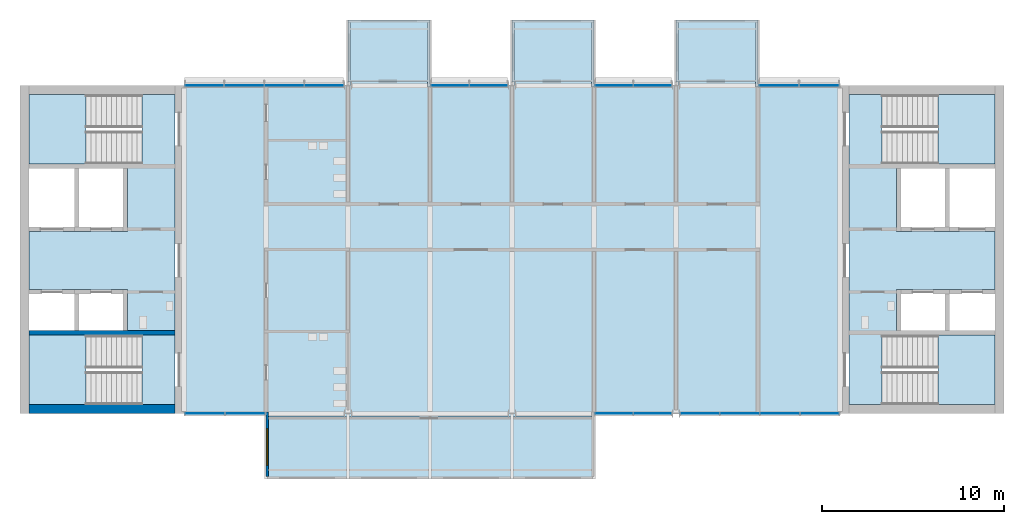
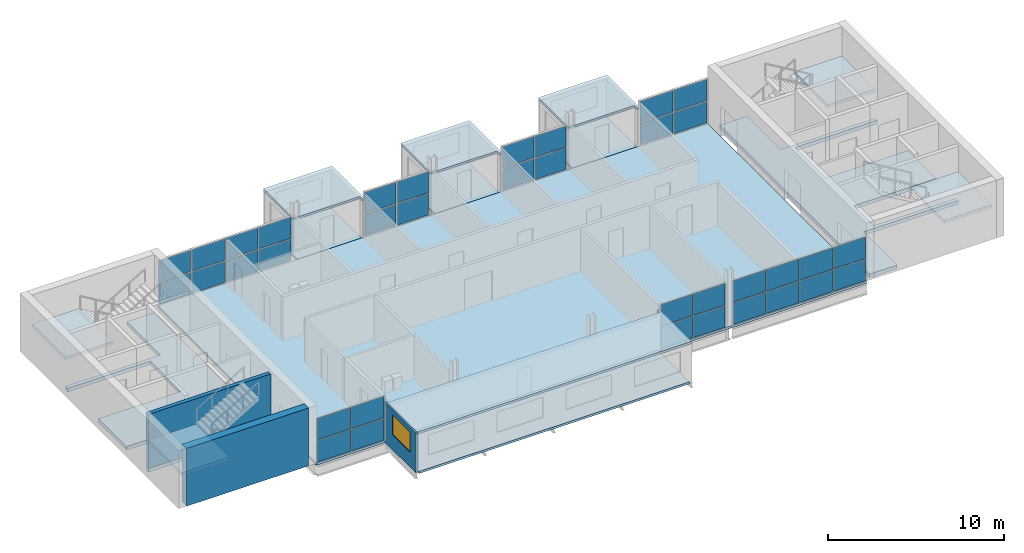
# One storey, part 4 of 11: 36 plates, 15 slabs, 3 walls, 1 window, 1 opening, 11 elements without a shape of their own.
"""IFC4 building model written with IfcOpenShell, lengths in metres."""

from ifc_helpers import new_model, si_unit, direction, frame, frame_2d, origin, origin_2d, place, context, subcontext, project, spatial, polyline, rectangle, outline, extrude, material, layer, layer_set, type_object, element, fill, aggregate, save


model = new_model("IFC4")

# Units and contexts
model_context = context("Model", 3, precision=1e-05, world=origin(), true_north=direction((0.0, 1.0)))
body_context = subcontext(model_context, "Body", "Model", "MODEL_VIEW")
ifc_project = project(units=[si_unit("LENGTHUNIT", "METRE"), si_unit("AREAUNIT", "SQUARE_METRE"), si_unit("VOLUMEUNIT", "CUBIC_METRE"), si_unit("PLANEANGLEUNIT", "RADIAN"), si_unit("MASSUNIT", "GRAM", prefix="KILO")], contexts=[model_context])

# Site, building, storey
site_placement = place(None, origin())
site = spatial("IfcSite", under=ifc_project, at=site_placement, CompositionType="ELEMENT")
building_placement = place(site_placement, origin())
building = spatial("IfcBuilding", under=site, at=building_placement, Name="Corbel Yard City Hall", CompositionType="ELEMENT")
storey_placement = place(building_placement, frame((0.0, 0.0, 35.199951171875)))
storey = spatial("IfcBuildingStorey", under=building, at=storey_placement, Name="L08", CompositionType="ELEMENT", Elevation=35.199951171875)

# Slabs
ifc_material_1 = material(Name="Concrete N40 (40 MPa)", Category="concrete")
ifc_layer_1 = layer(ifc_material_1, 0.25)
ifc_layer_set_1 = layer_set([ifc_layer_1], Name="Concrete N40 (40 MPa)")
slab_type_1 = type_object("IfcSlabType", Name="CF1", PredefinedType="FLOOR", material=ifc_layer_set_1)
slab_1_placement = place(storey_placement, frame((0.0, 0.0, -0.25)))
element("IfcSlab", 1, at=slab_1_placement, inside=storey, type_object=slab_type_1, Name="Core floor slab", PredefinedType="FLOOR", context=body_context, shape_type="SweptSolid", body=[
    extrude(outline(polyline([(8.5, 116.5), (6.698974609375, 116.5), (6.698974609375, 112.699951171875), (0.5, 112.699951171875), (0.5, 112.449951171875), (5.89990234375, 112.449951171875), (5.89990234375, 109.0), (0.5, 109.0), (0.5, 105.800048828125), (5.89990234375, 105.800048828125), (5.89990234375, 103.550048828125), (0.5, 103.550048828125), (0.5, 103.300048828125), (6.698974609375, 103.300048828125), (6.698974609375, 99.5), (8.5, 99.5), (8.5, 116.5)])), origin(), (0.0, 0.0, 1.0), 0.25),
])
slab_2_placement = place(storey_placement, frame((0.0, 0.0, -0.25)))
element("IfcSlab", 2, at=slab_2_placement, inside=storey, type_object=slab_type_1, Name="Core floor slab", PredefinedType="FLOOR", context=body_context, shape_type="SweptSolid", body=[
    extrude(outline(polyline([(53.5, 103.300048828125), (53.5, 103.550048828125), (48.10009765625, 103.550048828125), (48.10009765625, 105.800048828125), (53.5, 105.800048828125), (53.5, 109.0), (48.10009765625, 109.0), (48.10009765625, 112.449951171875), (53.5, 112.449951171875), (53.5, 112.699951171875), (47.301025390625, 112.699951171875), (47.301025390625, 116.5), (45.5, 116.5), (45.5, 99.5), (47.301025390625, 99.5), (47.301025390625, 103.300048828125), (53.5, 103.300048828125)])), origin(), (0.0, 0.0, 1.0), 0.25),
])
ifc_layer_2 = layer(ifc_material_1, 0.14990234375)
ifc_layer_set_2 = layer_set([ifc_layer_2], Name="Concrete N40 (40 MPa)")
slab_type_2 = type_object("IfcSlabType", Name="Floor slab 150", PredefinedType="FLOOR", material=ifc_layer_set_2)
slab_3_placement = place(storey_placement, frame((0.0, 0.0, -0.14990234375)))
element("IfcSlab", 3, at=slab_3_placement, inside=storey, type_object=slab_type_2, Name="Tower floor slab L08", PredefinedType="FLOOR", context=body_context, shape_type="SweptSolid", body=[
    extrude(outline(polyline([(45.0, 99.0), (45.0, 117.0), (9.0, 117.0), (9.0, 99.0), (45.0, 99.0)])), origin(), (0.0, 0.0, 1.0), 0.14990234375),
])

# Stair, slab
stair_type = type_object("IfcStairType", Name="ST4", PredefinedType="HALF_TURN_STAIR", material=ifc_material_1)
stair_1_placement = place(storey_placement, origin())
stair_1 = element("IfcStair", 4, at=stair_1_placement, inside=storey, type_object=stair_type, Name="Exit stair ST-W1 L08", PredefinedType="HALF_TURN_STAIR")
ifc_layer_3 = layer(ifc_material_1, 0.199951171875)
ifc_layer_set_3 = layer_set([ifc_layer_3], Name="Concrete N40 (40 MPa)")
slab_type_3 = type_object("IfcSlabType", Name="LN1", PredefinedType="LANDING", material=ifc_layer_set_3)
slab_4_placement = place(storey_placement, frame((0.0, 0.0, 1.800048828125)))
slab_4 = element("IfcSlab", 5, at=slab_4_placement, type_object=slab_type_3, Name="ST-W1 landing 1", PredefinedType="LANDING", context=body_context, shape_type="SweptSolid", body=[
    extrude(outline(polyline([(0.5, 99.5), (3.6201171875, 99.5), (3.6201171875, 103.300048828125), (0.5, 103.300048828125), (0.5, 99.5)])), origin(), (0.0, 0.0, 1.0), 0.199951171875),
])
aggregate(stair_1, [slab_4])

stair_2_placement = place(storey_placement, origin())
stair_2 = element("IfcStair", 6, at=stair_2_placement, inside=storey, type_object=stair_type, Name="Exit stair ST-W2 L08", PredefinedType="HALF_TURN_STAIR")
slab_5_placement = place(storey_placement, frame((0.0, 0.0, 1.800048828125)))
slab_5 = element("IfcSlab", 7, at=slab_5_placement, type_object=slab_type_3, Name="ST-W2 landing 1", PredefinedType="LANDING", context=body_context, shape_type="SweptSolid", body=[
    extrude(outline(polyline([(0.5, 112.699951171875), (3.6201171875, 112.699951171875), (3.6201171875, 116.5), (0.5, 116.5), (0.5, 112.699951171875)])), origin(), (0.0, 0.0, 1.0), 0.199951171875),
])
aggregate(stair_2, [slab_5])

stair_3_placement = place(storey_placement, origin())
stair_3 = element("IfcStair", 8, at=stair_3_placement, inside=storey, type_object=stair_type, Name="Exit stair ST-E1 L08", PredefinedType="HALF_TURN_STAIR")
slab_6_placement = place(storey_placement, frame((0.0, 0.0, 1.800048828125)))
slab_6 = element("IfcSlab", 9, at=slab_6_placement, type_object=slab_type_3, Name="ST-E1 landing 1", PredefinedType="LANDING", context=body_context, shape_type="SweptSolid", body=[
    extrude(outline(polyline([(50.3798828125, 99.5), (53.5, 99.5), (53.5, 103.300048828125), (50.3798828125, 103.300048828125), (50.3798828125, 99.5)])), origin(), (0.0, 0.0, 1.0), 0.199951171875),
])
aggregate(stair_3, [slab_6])

stair_4_placement = place(storey_placement, origin())
stair_4 = element("IfcStair", 10, at=stair_4_placement, inside=storey, type_object=stair_type, Name="Exit stair ST-E2 L08", PredefinedType="HALF_TURN_STAIR")
slab_7_placement = place(storey_placement, frame((0.0, 0.0, 1.800048828125)))
slab_7 = element("IfcSlab", 11, at=slab_7_placement, type_object=slab_type_3, Name="ST-E2 landing 1", PredefinedType="LANDING", context=body_context, shape_type="SweptSolid", body=[
    extrude(outline(polyline([(50.3798828125, 112.699951171875), (53.5, 112.699951171875), (53.5, 116.5), (50.3798828125, 116.5), (50.3798828125, 112.699951171875)])), origin(), (0.0, 0.0, 1.0), 0.199951171875),
])
aggregate(stair_4, [slab_7])

# Slabs
ifc_material_2 = material(Name="Concrete N32 (32 MPa)", Category="concrete")
ifc_layer_4 = layer(ifc_material_2, 0.14990234375)
ifc_layer_set_4 = layer_set([ifc_layer_4], Name="Concrete N32 (32 MPa)")
slab_type_4 = type_object("IfcSlabType", Name="PF1", PredefinedType="FLOOR", material=ifc_layer_set_4)
slab_8_placement = place(storey_placement, frame((0.0, 0.0, -0.14990234375)))
element("IfcSlab", 12, at=slab_8_placement, inside=storey, type_object=slab_type_4, Name="Pod floor slab L08", PredefinedType="FLOOR", context=body_context, shape_type="SweptSolid", body=[
    extrude(outline(polyline([(13.64990234375, 95.39990234375), (31.35009765625, 95.39990234375), (31.35009765625, 99.0), (13.64990234375, 99.0), (13.64990234375, 95.39990234375)])), origin(), (0.0, 0.0, 1.0), 0.14990234375),
])
slab_9_placement = place(storey_placement, frame((0.0, 0.0, -0.14990234375)))
element("IfcSlab", 13, at=slab_9_placement, inside=storey, type_object=slab_type_4, Name="Pod floor slab L08", PredefinedType="FLOOR", context=body_context, shape_type="SweptSolid", body=[
    extrude(outline(polyline([(18.14990234375, 117.0), (22.35009765625, 117.0), (22.35009765625, 120.60009765625), (18.14990234375, 120.60009765625), (18.14990234375, 117.0)])), origin(), (0.0, 0.0, 1.0), 0.14990234375),
])
slab_10_placement = place(storey_placement, frame((0.0, 0.0, -0.14990234375)))
element("IfcSlab", 14, at=slab_10_placement, inside=storey, type_object=slab_type_4, Name="Pod floor slab L08", PredefinedType="FLOOR", context=body_context, shape_type="SweptSolid", body=[
    extrude(outline(polyline([(27.14990234375, 117.0), (31.35009765625, 117.0), (31.35009765625, 120.60009765625), (27.14990234375, 120.60009765625), (27.14990234375, 117.0)])), origin(), (0.0, 0.0, 1.0), 0.14990234375),
])
slab_11_placement = place(storey_placement, frame((0.0, 0.0, -0.14990234375)))
element("IfcSlab", 15, at=slab_11_placement, inside=storey, type_object=slab_type_4, Name="Pod floor slab L08", PredefinedType="FLOOR", context=body_context, shape_type="SweptSolid", body=[
    extrude(outline(polyline([(36.14990234375, 117.0), (40.35009765625, 117.0), (40.35009765625, 120.60009765625), (36.14990234375, 120.60009765625), (36.14990234375, 117.0)])), origin(), (0.0, 0.0, 1.0), 0.14990234375),
])
ifc_layer_5 = layer(ifc_material_2, 0.14990234375)
ifc_layer_set_5 = layer_set([ifc_layer_5], Name="Concrete N32 (32 MPa)")
slab_type_5 = type_object("IfcSlabType", Name="PH1", PredefinedType="ROOF", material=ifc_layer_set_5)
slab_12_placement = place(storey_placement, frame((0.0, 0.0, 2.60009765625)))
element("IfcSlab", 16, at=slab_12_placement, inside=storey, type_object=slab_type_5, Name="Pod roof slab L08", PredefinedType="ROOF", context=body_context, shape_type="SweptSolid", body=[
    extrude(outline(polyline([(13.5, 95.39990234375), (31.5, 95.39990234375), (31.5, 99.074951171875), (31.35009765625, 99.074951171875), (31.35009765625, 98.800048828125), (13.64990234375, 98.800048828125), (13.64990234375, 99.074951171875), (13.5, 99.074951171875), (13.5, 95.39990234375)])), origin(), (0.0, 0.0, 1.0), 0.14990234375),
])
slab_13_placement = place(storey_placement, frame((0.0, 0.0, 2.60009765625)))
element("IfcSlab", 17, at=slab_13_placement, inside=storey, type_object=slab_type_5, Name="Pod roof slab L08", PredefinedType="ROOF", context=body_context, shape_type="SweptSolid", body=[
    extrude(outline(polyline([(18.0, 120.60009765625), (18.0, 117.199951171875), (22.35009765625, 117.199951171875), (22.35009765625, 116.909912109375), (22.5, 116.909912109375), (22.5, 120.60009765625), (18.0, 120.60009765625)])), origin(), (0.0, 0.0, 1.0), 0.14990234375),
])
slab_14_placement = place(storey_placement, frame((0.0, 0.0, 2.60009765625)))
element("IfcSlab", 18, at=slab_14_placement, inside=storey, type_object=slab_type_5, Name="Pod roof slab L08", PredefinedType="ROOF", context=body_context, shape_type="SweptSolid", body=[
    extrude(outline(polyline([(27.0, 120.60009765625), (27.0, 117.199951171875), (31.35009765625, 117.199951171875), (31.35009765625, 116.909912109375), (31.5, 116.909912109375), (31.5, 120.60009765625), (27.0, 120.60009765625)])), origin(), (0.0, 0.0, 1.0), 0.14990234375),
])
slab_15_placement = place(storey_placement, frame((0.0, 0.0, 2.60009765625)))
element("IfcSlab", 19, at=slab_15_placement, inside=storey, type_object=slab_type_5, Name="Pod roof slab L08", PredefinedType="ROOF", context=body_context, shape_type="SweptSolid", body=[
    extrude(outline(polyline([(36.0, 120.60009765625), (36.0, 117.199951171875), (40.35009765625, 117.199951171875), (40.35009765625, 116.909912109375), (40.5, 116.909912109375), (40.5, 120.60009765625), (36.0, 120.60009765625)])), origin(), (0.0, 0.0, 1.0), 0.14990234375),
])

# Curtain wall, plates
ifc_material_3 = material(Name="Aluminium extrusion", Category="aluminium")
ifc_layer_6 = layer(ifc_material_3, 0.14990234375)
ifc_layer_set_6 = layer_set([ifc_layer_6], Name="Aluminium extrusion")
curtain_wall_type_1 = type_object("IfcCurtainWallType", Name="CW2", PredefinedType="USERDEFINED", material=ifc_layer_set_6)
curtain_wall_1_placement = place(storey_placement, origin())
curtain_wall_1 = element("IfcCurtainWall", 20, at=curtain_wall_1_placement, inside=storey, type_object=curtain_wall_type_1, Name="Curtain wall CW2 L08", ObjectType="CURTAIN WALL", PredefinedType="USERDEFINED")
ifc_material_4 = material(Name="Double glazed low-e glass unit", Category="glass")
ifc_layer_7 = layer(ifc_material_4, 0.028076171875)
ifc_layer_set_7 = layer_set([ifc_layer_7], Name="Double glazed low-e glass unit")
plate_type_1 = type_object("IfcPlateType", Name="PN2", PredefinedType="CURTAIN_PANEL", material=ifc_layer_set_7)
plate_1_placement = place(storey_placement, frame((10.141357421875, 99.0, 0.06494140625), z_axis=(0.0, 0.0, 1.0), x_axis=(1.0, 0.0, 0.0)))
plate_1 = element("IfcPlate", 21, at=plate_1_placement, type_object=plate_type_1, Name="CW2 panel 1.1", PredefinedType="CURTAIN_PANEL", context=body_context, shape_type="SweptSolid", body=[
    extrude(rectangle(XDim=2.152587890625, YDim=0.028076171875, at=origin_2d()), origin(), (0.0, 0.0, 1.0), 1.4775390625),
])
plate_2_placement = place(storey_placement, frame((10.141357421875, 99.0, 1.607421875), z_axis=(0.0, 0.0, 1.0), x_axis=(1.0, 0.0, 0.0)))
plate_2 = element("IfcPlate", 22, at=plate_2_placement, type_object=plate_type_1, Name="CW2 panel 1.2", PredefinedType="CURTAIN_PANEL", context=body_context, shape_type="SweptSolid", body=[
    extrude(rectangle(XDim=2.152587890625, YDim=0.028076171875, at=origin_2d()), origin(), (0.0, 0.0, 1.0), 1.4775390625),
])
plate_3_placement = place(storey_placement, frame((12.358642578125, 99.0, 0.06494140625), z_axis=(0.0, 0.0, 1.0), x_axis=(1.0, 0.0, 0.0)))
plate_3 = element("IfcPlate", 23, at=plate_3_placement, type_object=plate_type_1, Name="CW2 panel 2.1", PredefinedType="CURTAIN_PANEL", context=body_context, shape_type="SweptSolid", body=[
    extrude(rectangle(XDim=2.152587890625, YDim=0.028076171875, at=origin_2d()), origin(), (0.0, 0.0, 1.0), 1.4775390625),
])
plate_4_placement = place(storey_placement, frame((12.358642578125, 99.0, 1.607421875), z_axis=(0.0, 0.0, 1.0), x_axis=(1.0, 0.0, 0.0)))
plate_4 = element("IfcPlate", 24, at=plate_4_placement, type_object=plate_type_1, Name="CW2 panel 2.2", PredefinedType="CURTAIN_PANEL", context=body_context, shape_type="SweptSolid", body=[
    extrude(rectangle(XDim=2.152587890625, YDim=0.028076171875, at=origin_2d()), origin(), (0.0, 0.0, 1.0), 1.4775390625),
])
aggregate(curtain_wall_1, [plate_1, plate_2, plate_3, plate_4])

curtain_wall_2_placement = place(storey_placement, origin())
curtain_wall_2 = element("IfcCurtainWall", 25, at=curtain_wall_2_placement, inside=storey, type_object=curtain_wall_type_1, Name="Curtain wall CW2 L08", ObjectType="CURTAIN WALL", PredefinedType="USERDEFINED")
plate_5_placement = place(storey_placement, frame((32.589599609375, 99.0, 0.06494140625), z_axis=(0.0, 0.0, 1.0), x_axis=(1.0, 0.0, 0.0)))
plate_5 = element("IfcPlate", 26, at=plate_5_placement, type_object=plate_type_1, Name="CW2 panel 1.1", PredefinedType="CURTAIN_PANEL", context=body_context, shape_type="SweptSolid", body=[
    extrude(rectangle(XDim=2.049072265625, YDim=0.028076171875, at=origin_2d()), origin(), (0.0, 0.0, 1.0), 1.4775390625),
])
plate_6_placement = place(storey_placement, frame((32.589599609375, 99.0, 1.607421875), z_axis=(0.0, 0.0, 1.0), x_axis=(1.0, 0.0, 0.0)))
plate_6 = element("IfcPlate", 27, at=plate_6_placement, type_object=plate_type_1, Name="CW2 panel 1.2", PredefinedType="CURTAIN_PANEL", context=body_context, shape_type="SweptSolid", body=[
    extrude(rectangle(XDim=2.049072265625, YDim=0.028076171875, at=origin_2d()), origin(), (0.0, 0.0, 1.0), 1.4775390625),
])
plate_7_placement = place(storey_placement, frame((34.70361328125, 99.0, 0.06494140625), z_axis=(0.0, 0.0, 1.0), x_axis=(1.0, 0.0, 0.0)))
plate_7 = element("IfcPlate", 28, at=plate_7_placement, type_object=plate_type_1, Name="CW2 panel 2.1", PredefinedType="CURTAIN_PANEL", context=body_context, shape_type="SweptSolid", body=[
    extrude(rectangle(XDim=2.049072265625, YDim=0.028076171875, at=origin_2d()), origin(), (0.0, 0.0, 1.0), 1.4775390625),
])
plate_8_placement = place(storey_placement, frame((34.70361328125, 99.0, 1.607421875), z_axis=(0.0, 0.0, 1.0), x_axis=(1.0, 0.0, 0.0)))
plate_8 = element("IfcPlate", 29, at=plate_8_placement, type_object=plate_type_1, Name="CW2 panel 2.2", PredefinedType="CURTAIN_PANEL", context=body_context, shape_type="SweptSolid", body=[
    extrude(rectangle(XDim=2.049072265625, YDim=0.028076171875, at=origin_2d()), origin(), (0.0, 0.0, 1.0), 1.4775390625),
])
aggregate(curtain_wall_2, [plate_5, plate_6, plate_7, plate_8])

curtain_wall_3_placement = place(storey_placement, origin())
curtain_wall_3 = element("IfcCurtainWall", 30, at=curtain_wall_3_placement, inside=storey, type_object=curtain_wall_type_1, Name="Curtain wall CW2 L08", ObjectType="CURTAIN WALL", PredefinedType="USERDEFINED")
plate_9_placement = place(storey_placement, frame((37.322265625, 99.0, 0.06494140625), z_axis=(0.0, 0.0, 1.0), x_axis=(1.0, 0.0, 0.0)))
plate_9 = element("IfcPlate", 31, at=plate_9_placement, type_object=plate_type_1, Name="CW2 panel 1.1", PredefinedType="CURTAIN_PANEL", context=body_context, shape_type="SweptSolid", body=[
    extrude(rectangle(XDim=2.100830078125, YDim=0.028076171875, at=origin_2d()), origin(), (0.0, 0.0, 1.0), 1.4775390625),
])
plate_10_placement = place(storey_placement, frame((37.322265625, 99.0, 1.607421875), z_axis=(0.0, 0.0, 1.0), x_axis=(1.0, 0.0, 0.0)))
plate_10 = element("IfcPlate", 32, at=plate_10_placement, type_object=plate_type_1, Name="CW2 panel 1.2", PredefinedType="CURTAIN_PANEL", context=body_context, shape_type="SweptSolid", body=[
    extrude(rectangle(XDim=2.100830078125, YDim=0.028076171875, at=origin_2d()), origin(), (0.0, 0.0, 1.0), 1.4775390625),
])
plate_11_placement = place(storey_placement, frame((39.50439453125, 99.0, 0.06494140625), z_axis=(0.0, 0.0, 1.0), x_axis=(1.0, 0.0, 0.0)))
plate_11 = element("IfcPlate", 33, at=plate_11_placement, type_object=plate_type_1, Name="CW2 panel 2.1", PredefinedType="CURTAIN_PANEL", context=body_context, shape_type="SweptSolid", body=[
    extrude(rectangle(XDim=2.13330078125, YDim=0.028076171875, at=origin_2d()), origin(), (0.0, 0.0, 1.0), 1.4775390625),
])
plate_12_placement = place(storey_placement, frame((39.50439453125, 99.0, 1.607421875), z_axis=(0.0, 0.0, 1.0), x_axis=(1.0, 0.0, 0.0)))
plate_12 = element("IfcPlate", 34, at=plate_12_placement, type_object=plate_type_1, Name="CW2 panel 2.2", PredefinedType="CURTAIN_PANEL", context=body_context, shape_type="SweptSolid", body=[
    extrude(rectangle(XDim=2.13330078125, YDim=0.028076171875, at=origin_2d()), origin(), (0.0, 0.0, 1.0), 1.4775390625),
])
plate_13_placement = place(storey_placement, frame((41.70263671875, 99.0, 0.06494140625), z_axis=(0.0, 0.0, 1.0), x_axis=(1.0, 0.0, 0.0)))
plate_13 = element("IfcPlate", 35, at=plate_13_placement, type_object=plate_type_1, Name="CW2 panel 3.1", PredefinedType="CURTAIN_PANEL", context=body_context, shape_type="SweptSolid", body=[
    extrude(rectangle(XDim=2.13330078125, YDim=0.028076171875, at=origin_2d()), origin(), (0.0, 0.0, 1.0), 1.4775390625),
])
plate_14_placement = place(storey_placement, frame((41.70263671875, 99.0, 1.607421875), z_axis=(0.0, 0.0, 1.0), x_axis=(1.0, 0.0, 0.0)))
plate_14 = element("IfcPlate", 36, at=plate_14_placement, type_object=plate_type_1, Name="CW2 panel 3.2", PredefinedType="CURTAIN_PANEL", context=body_context, shape_type="SweptSolid", body=[
    extrude(rectangle(XDim=2.13330078125, YDim=0.028076171875, at=origin_2d()), origin(), (0.0, 0.0, 1.0), 1.4775390625),
])
plate_15_placement = place(storey_placement, frame((43.884521484375, 99.0, 0.06494140625), z_axis=(0.0, 0.0, 1.0), x_axis=(1.0, 0.0, 0.0)))
plate_15 = element("IfcPlate", 37, at=plate_15_placement, type_object=plate_type_1, Name="CW2 panel 4.1", PredefinedType="CURTAIN_PANEL", context=body_context, shape_type="SweptSolid", body=[
    extrude(rectangle(XDim=2.100830078125, YDim=0.028076171875, at=origin_2d()), origin(), (0.0, 0.0, 1.0), 1.4775390625),
])
plate_16_placement = place(storey_placement, frame((43.884521484375, 99.0, 1.607421875), z_axis=(0.0, 0.0, 1.0), x_axis=(1.0, 0.0, 0.0)))
plate_16 = element("IfcPlate", 38, at=plate_16_placement, type_object=plate_type_1, Name="CW2 panel 4.2", PredefinedType="CURTAIN_PANEL", context=body_context, shape_type="SweptSolid", body=[
    extrude(rectangle(XDim=2.100830078125, YDim=0.028076171875, at=origin_2d()), origin(), (0.0, 0.0, 1.0), 1.4775390625),
])
aggregate(curtain_wall_3, [plate_9, plate_10, plate_11, plate_12, plate_13, plate_14, plate_15, plate_16])

ifc_layer_8 = layer(ifc_material_3, 0.179931640625)
ifc_layer_set_8 = layer_set([ifc_layer_8], Name="Aluminium extrusion")
curtain_wall_type_2 = type_object("IfcCurtainWallType", Name="CW6", PredefinedType="USERDEFINED", material=ifc_layer_set_8)
curtain_wall_4_placement = place(storey_placement, origin())
curtain_wall_4 = element("IfcCurtainWall", 39, at=curtain_wall_4_placement, inside=storey, type_object=curtain_wall_type_2, Name="Curtain wall CW6 L08", ObjectType="CURTAIN WALL", PredefinedType="USERDEFINED")
ifc_material_5 = material(Name="Double glazed low-e glass unit, ceramic fritted", Category="glass")
ifc_layer_9 = layer(ifc_material_5, 0.02392578125)
ifc_layer_set_9 = layer_set([ifc_layer_9], Name="Double glazed low-e glass unit, ceramic fritted")
plate_type_2 = type_object("IfcPlateType", Name="PN7", PredefinedType="CURTAIN_PANEL", material=ifc_layer_set_9)
plate_17_placement = place(storey_placement, frame((10.115478515625, 117.0, 0.06494140625), z_axis=(0.0, 0.0, 1.0), x_axis=(1.0, 0.0, 0.0)))
plate_17 = element("IfcPlate", 40, at=plate_17_placement, type_object=plate_type_2, Name="CW6 panel 1.1", PredefinedType="CURTAIN_PANEL", context=body_context, shape_type="SweptSolid", body=[
    extrude(rectangle(XDim=2.100830078125, YDim=0.02392578125, at=origin_2d()), origin(), (0.0, 0.0, 1.0), 1.4775390625),
])
plate_18_placement = place(storey_placement, frame((10.115478515625, 117.0, 1.607421875), z_axis=(0.0, 0.0, 1.0), x_axis=(1.0, 0.0, 0.0)))
plate_18 = element("IfcPlate", 41, at=plate_18_placement, type_object=plate_type_2, Name="CW6 panel 1.2", PredefinedType="CURTAIN_PANEL", context=body_context, shape_type="SweptSolid", body=[
    extrude(rectangle(XDim=2.100830078125, YDim=0.02392578125, at=origin_2d()), origin(), (0.0, 0.0, 1.0), 1.4775390625),
])
plate_19_placement = place(storey_placement, frame((12.29736328125, 117.0, 0.06494140625), z_axis=(0.0, 0.0, 1.0), x_axis=(1.0, 0.0, 0.0)))
plate_19 = element("IfcPlate", 42, at=plate_19_placement, type_object=plate_type_2, Name="CW6 panel 2.1", PredefinedType="CURTAIN_PANEL", context=body_context, shape_type="SweptSolid", body=[
    extrude(rectangle(XDim=2.13330078125, YDim=0.02392578125, at=origin_2d()), origin(), (0.0, 0.0, 1.0), 1.4775390625),
])
plate_20_placement = place(storey_placement, frame((12.29736328125, 117.0, 1.607421875), z_axis=(0.0, 0.0, 1.0), x_axis=(1.0, 0.0, 0.0)))
plate_20 = element("IfcPlate", 43, at=plate_20_placement, type_object=plate_type_2, Name="CW6 panel 2.2", PredefinedType="CURTAIN_PANEL", context=body_context, shape_type="SweptSolid", body=[
    extrude(rectangle(XDim=2.13330078125, YDim=0.02392578125, at=origin_2d()), origin(), (0.0, 0.0, 1.0), 1.4775390625),
])
plate_21_placement = place(storey_placement, frame((14.49560546875, 117.0, 0.06494140625), z_axis=(0.0, 0.0, 1.0), x_axis=(1.0, 0.0, 0.0)))
plate_21 = element("IfcPlate", 44, at=plate_21_placement, type_object=plate_type_2, Name="CW6 panel 3.1", PredefinedType="CURTAIN_PANEL", context=body_context, shape_type="SweptSolid", body=[
    extrude(rectangle(XDim=2.13330078125, YDim=0.02392578125, at=origin_2d()), origin(), (0.0, 0.0, 1.0), 1.4775390625),
])
plate_22_placement = place(storey_placement, frame((14.49560546875, 117.0, 1.607421875), z_axis=(0.0, 0.0, 1.0), x_axis=(1.0, 0.0, 0.0)))
plate_22 = element("IfcPlate", 45, at=plate_22_placement, type_object=plate_type_2, Name="CW6 panel 3.2", PredefinedType="CURTAIN_PANEL", context=body_context, shape_type="SweptSolid", body=[
    extrude(rectangle(XDim=2.13330078125, YDim=0.02392578125, at=origin_2d()), origin(), (0.0, 0.0, 1.0), 1.4775390625),
])
plate_23_placement = place(storey_placement, frame((16.677734375, 117.0, 0.06494140625), z_axis=(0.0, 0.0, 1.0), x_axis=(1.0, 0.0, 0.0)))
plate_23 = element("IfcPlate", 46, at=plate_23_placement, type_object=plate_type_2, Name="CW6 panel 4.1", PredefinedType="CURTAIN_PANEL", context=body_context, shape_type="SweptSolid", body=[
    extrude(rectangle(XDim=2.100830078125, YDim=0.02392578125, at=origin_2d()), origin(), (0.0, 0.0, 1.0), 1.4775390625),
])
plate_24_placement = place(storey_placement, frame((16.677734375, 117.0, 1.607421875), z_axis=(0.0, 0.0, 1.0), x_axis=(1.0, 0.0, 0.0)))
plate_24 = element("IfcPlate", 47, at=plate_24_placement, type_object=plate_type_2, Name="CW6 panel 4.2", PredefinedType="CURTAIN_PANEL", context=body_context, shape_type="SweptSolid", body=[
    extrude(rectangle(XDim=2.100830078125, YDim=0.02392578125, at=origin_2d()), origin(), (0.0, 0.0, 1.0), 1.4775390625),
])
aggregate(curtain_wall_4, [plate_17, plate_18, plate_19, plate_20, plate_21, plate_22, plate_23, plate_24])

curtain_wall_5_placement = place(storey_placement, origin())
curtain_wall_5 = element("IfcCurtainWall", 48, at=curtain_wall_5_placement, inside=storey, type_object=curtain_wall_type_2, Name="Curtain wall CW6 L08", ObjectType="CURTAIN WALL", PredefinedType="USERDEFINED")
plate_25_placement = place(storey_placement, frame((23.589599609375, 117.0, 0.06494140625), z_axis=(0.0, 0.0, 1.0), x_axis=(1.0, 0.0, 0.0)))
plate_25 = element("IfcPlate", 49, at=plate_25_placement, type_object=plate_type_2, Name="CW6 panel 1.1", PredefinedType="CURTAIN_PANEL", context=body_context, shape_type="SweptSolid", body=[
    extrude(rectangle(XDim=2.049072265625, YDim=0.02392578125, at=origin_2d()), origin(), (0.0, 0.0, 1.0), 1.4775390625),
])
plate_26_placement = place(storey_placement, frame((23.589599609375, 117.0, 1.607421875), z_axis=(0.0, 0.0, 1.0), x_axis=(1.0, 0.0, 0.0)))
plate_26 = element("IfcPlate", 50, at=plate_26_placement, type_object=plate_type_2, Name="CW6 panel 1.2", PredefinedType="CURTAIN_PANEL", context=body_context, shape_type="SweptSolid", body=[
    extrude(rectangle(XDim=2.049072265625, YDim=0.02392578125, at=origin_2d()), origin(), (0.0, 0.0, 1.0), 1.4775390625),
])
plate_27_placement = place(storey_placement, frame((25.70361328125, 117.0, 0.06494140625), z_axis=(0.0, 0.0, 1.0), x_axis=(1.0, 0.0, 0.0)))
plate_27 = element("IfcPlate", 51, at=plate_27_placement, type_object=plate_type_2, Name="CW6 panel 2.1", PredefinedType="CURTAIN_PANEL", context=body_context, shape_type="SweptSolid", body=[
    extrude(rectangle(XDim=2.049072265625, YDim=0.02392578125, at=origin_2d()), origin(), (0.0, 0.0, 1.0), 1.4775390625),
])
plate_28_placement = place(storey_placement, frame((25.70361328125, 117.0, 1.607421875), z_axis=(0.0, 0.0, 1.0), x_axis=(1.0, 0.0, 0.0)))
plate_28 = element("IfcPlate", 52, at=plate_28_placement, type_object=plate_type_2, Name="CW6 panel 2.2", PredefinedType="CURTAIN_PANEL", context=body_context, shape_type="SweptSolid", body=[
    extrude(rectangle(XDim=2.049072265625, YDim=0.02392578125, at=origin_2d()), origin(), (0.0, 0.0, 1.0), 1.4775390625),
])
aggregate(curtain_wall_5, [plate_25, plate_26, plate_27, plate_28])

curtain_wall_6_placement = place(storey_placement, origin())
curtain_wall_6 = element("IfcCurtainWall", 53, at=curtain_wall_6_placement, inside=storey, type_object=curtain_wall_type_2, Name="Curtain wall CW6 L08", ObjectType="CURTAIN WALL", PredefinedType="USERDEFINED")
plate_29_placement = place(storey_placement, frame((32.589599609375, 117.0, 0.06494140625), z_axis=(0.0, 0.0, 1.0), x_axis=(1.0, 0.0, 0.0)))
plate_29 = element("IfcPlate", 54, at=plate_29_placement, type_object=plate_type_2, Name="CW6 panel 1.1", PredefinedType="CURTAIN_PANEL", context=body_context, shape_type="SweptSolid", body=[
    extrude(rectangle(XDim=2.049072265625, YDim=0.02392578125, at=origin_2d()), origin(), (0.0, 0.0, 1.0), 1.4775390625),
])
plate_30_placement = place(storey_placement, frame((32.589599609375, 117.0, 1.607421875), z_axis=(0.0, 0.0, 1.0), x_axis=(1.0, 0.0, 0.0)))
plate_30 = element("IfcPlate", 55, at=plate_30_placement, type_object=plate_type_2, Name="CW6 panel 1.2", PredefinedType="CURTAIN_PANEL", context=body_context, shape_type="SweptSolid", body=[
    extrude(rectangle(XDim=2.049072265625, YDim=0.02392578125, at=origin_2d()), origin(), (0.0, 0.0, 1.0), 1.4775390625),
])
plate_31_placement = place(storey_placement, frame((34.70361328125, 117.0, 0.06494140625), z_axis=(0.0, 0.0, 1.0), x_axis=(1.0, 0.0, 0.0)))
plate_31 = element("IfcPlate", 56, at=plate_31_placement, type_object=plate_type_2, Name="CW6 panel 2.1", PredefinedType="CURTAIN_PANEL", context=body_context, shape_type="SweptSolid", body=[
    extrude(rectangle(XDim=2.049072265625, YDim=0.02392578125, at=origin_2d()), origin(), (0.0, 0.0, 1.0), 1.4775390625),
])
plate_32_placement = place(storey_placement, frame((34.70361328125, 117.0, 1.607421875), z_axis=(0.0, 0.0, 1.0), x_axis=(1.0, 0.0, 0.0)))
plate_32 = element("IfcPlate", 57, at=plate_32_placement, type_object=plate_type_2, Name="CW6 panel 2.2", PredefinedType="CURTAIN_PANEL", context=body_context, shape_type="SweptSolid", body=[
    extrude(rectangle(XDim=2.049072265625, YDim=0.02392578125, at=origin_2d()), origin(), (0.0, 0.0, 1.0), 1.4775390625),
])
aggregate(curtain_wall_6, [plate_29, plate_30, plate_31, plate_32])

curtain_wall_7_placement = place(storey_placement, origin())
curtain_wall_7 = element("IfcCurtainWall", 58, at=curtain_wall_7_placement, inside=storey, type_object=curtain_wall_type_2, Name="Curtain wall CW6 L08", ObjectType="CURTAIN WALL", PredefinedType="USERDEFINED")
plate_33_placement = place(storey_placement, frame((41.641357421875, 117.0, 0.06494140625), z_axis=(0.0, 0.0, 1.0), x_axis=(1.0, 0.0, 0.0)))
plate_33 = element("IfcPlate", 59, at=plate_33_placement, type_object=plate_type_2, Name="CW6 panel 1.1", PredefinedType="CURTAIN_PANEL", context=body_context, shape_type="SweptSolid", body=[
    extrude(rectangle(XDim=2.152587890625, YDim=0.02392578125, at=origin_2d()), origin(), (0.0, 0.0, 1.0), 1.4775390625),
])
plate_34_placement = place(storey_placement, frame((41.641357421875, 117.0, 1.607421875), z_axis=(0.0, 0.0, 1.0), x_axis=(1.0, 0.0, 0.0)))
plate_34 = element("IfcPlate", 60, at=plate_34_placement, type_object=plate_type_2, Name="CW6 panel 1.2", PredefinedType="CURTAIN_PANEL", context=body_context, shape_type="SweptSolid", body=[
    extrude(rectangle(XDim=2.152587890625, YDim=0.02392578125, at=origin_2d()), origin(), (0.0, 0.0, 1.0), 1.4775390625),
])
plate_35_placement = place(storey_placement, frame((43.858642578125, 117.0, 0.06494140625), z_axis=(0.0, 0.0, 1.0), x_axis=(1.0, 0.0, 0.0)))
plate_35 = element("IfcPlate", 61, at=plate_35_placement, type_object=plate_type_2, Name="CW6 panel 2.1", PredefinedType="CURTAIN_PANEL", context=body_context, shape_type="SweptSolid", body=[
    extrude(rectangle(XDim=2.152587890625, YDim=0.02392578125, at=origin_2d()), origin(), (0.0, 0.0, 1.0), 1.4775390625),
])
plate_36_placement = place(storey_placement, frame((43.858642578125, 117.0, 1.607421875), z_axis=(0.0, 0.0, 1.0), x_axis=(1.0, 0.0, 0.0)))
plate_36 = element("IfcPlate", 62, at=plate_36_placement, type_object=plate_type_2, Name="CW6 panel 2.2", PredefinedType="CURTAIN_PANEL", context=body_context, shape_type="SweptSolid", body=[
    extrude(rectangle(XDim=2.152587890625, YDim=0.02392578125, at=origin_2d()), origin(), (0.0, 0.0, 1.0), 1.4775390625),
])
aggregate(curtain_wall_7, [plate_33, plate_34, plate_35, plate_36])

# Wall
ifc_layer_10 = layer(ifc_material_1, 0.25)
ifc_layer_set_10 = layer_set([ifc_layer_10], Name="Concrete N40 (40 MPa)")
wall_type_1 = type_object("IfcWallType", Name="IW2", PredefinedType="SOLIDWALL", material=ifc_layer_set_10)
wall_1_placement = place(storey_placement, frame((8.5, 103.425048828125, 0.0), z_axis=(0.0, 0.0, 1.0), x_axis=(-1.0, 0.0, 0.0)))
element("IfcWall", 63, at=wall_1_placement, inside=storey, type_object=wall_type_1, Name="Stair enclosure wall", PredefinedType="SOLIDWALL", context=body_context, shape_type="SweptSolid", body=[
    extrude(rectangle(XDim=8.0, YDim=0.25, at=frame_2d((4.0, 0.0))), origin(), (0.0, 0.0, 1.0), 3.75),
])

# Wall, opening, window
ifc_material_6 = material(Name="Anodised aluminium", Category="aluminium")
ifc_layer_11 = layer(ifc_material_6, 0.02392578125)
ifc_material_7 = material(Name="Steel Grade G550 (550 MPa yield)", Category="steel")
ifc_layer_12 = layer(ifc_material_7, 0.10009765625)
ifc_material_8 = material(Name="Gypsum plasterboard", Category="gypsum")
ifc_layer_13 = layer(ifc_material_8, 0.02587890625)
ifc_layer_set_11 = layer_set([ifc_layer_11, ifc_layer_12, ifc_layer_13], Name="Steel Grade G550 (550 MPa yield)")
wall_type_2 = type_object("IfcWallType", Name="PD3", PredefinedType="SOLIDWALL", material=ifc_layer_set_11)
wall_2_placement = place(storey_placement, frame((13.574951171875, 95.550048828125, -0.14990234375), z_axis=(0.0, 0.0, 1.0), x_axis=(0.0, 1.0, 0.0)))
wall_2 = element("IfcWall", 64, at=wall_2_placement, inside=storey, type_object=wall_type_2, Name="Pod side wall L08", PredefinedType="SOLIDWALL", context=body_context, shape_type="SweptSolid", body=[
    extrude(rectangle(XDim=3.52490234375, YDim=0.14990234375, at=frame_2d((1.762451171875, 0.0))), origin(), (0.0, 0.0, 1.0), 2.75),
])
opening_placement = place(wall_2_placement, frame((0.625, 0.0, 1.050048828125)))
opening = element("IfcOpeningElement", 65, at=opening_placement, cuts=wall_2, Name="Opening WN6", PredefinedType="OPENING", context=body_context, shape_type="SweptSolid", body=[
    extrude(rectangle(XDim=2.0, YDim=1.39990234375, at=frame_2d((1.0, 0.699951171875))), frame((0.0, 0.0849609375, 0.0), z_axis=(0.0, -1.0, 0.0), x_axis=(1.0, 0.0, 0.0)), (0.0, 0.0, 1.0), 0.169921875),
])
ifc_material_9 = material(Name="Aluminium frame, double glazed low-e glass", Category="aluminium")
window_type = type_object("IfcWindowType", Name="WN6", PartitioningType="SINGLE_PANEL", PredefinedType="WINDOW", material=ifc_material_9)
window_placement = place(opening_placement, origin())
window = element("IfcWindow", 66, at=window_placement, inside=storey, type_object=window_type, Name="Window WN6 L08", OverallHeight=1.39990234375, OverallWidth=2.0, PartitioningType="SINGLE_PANEL", PredefinedType="WINDOW", context=body_context, shape_type="SweptSolid", body=[
    extrude(rectangle(XDim=2.0, YDim=1.39990234375, at=frame_2d((1.0, 0.699951171875))), frame((0.0, 0.030029296875, 0.0), z_axis=(0.0, -1.0, 0.0), x_axis=(1.0, 0.0, 0.0)), (0.0, 0.0, 1.0), 0.06005859375),
])
fill(opening, window)

# Wall
ifc_material_10 = material(Name="Concrete N50 (50 MPa)", Category="concrete")
ifc_layer_14 = layer(ifc_material_10, 0.5)
ifc_layer_set_12 = layer_set([ifc_layer_14], Name="Concrete N50 (50 MPa)")
wall_type_3 = type_object("IfcWallType", Name="Trunk wall 500", PredefinedType="SHEAR", material=ifc_layer_set_12)
wall_3_placement = place(storey_placement, frame((0.5, 99.25, 0.0), z_axis=(0.0, 0.0, 1.0), x_axis=(1.0, 0.0, 0.0)))
element("IfcWall", 67, at=wall_3_placement, inside=storey, type_object=wall_type_3, Name="Trunk W south wall", PredefinedType="SHEAR", context=body_context, shape_type="SweptSolid", body=[
    extrude(rectangle(XDim=8.0, YDim=0.5, at=frame_2d((4.0, 0.0))), origin(), (0.0, 0.0, 1.0), 4.0),
])

save(model, "model.ifc")
